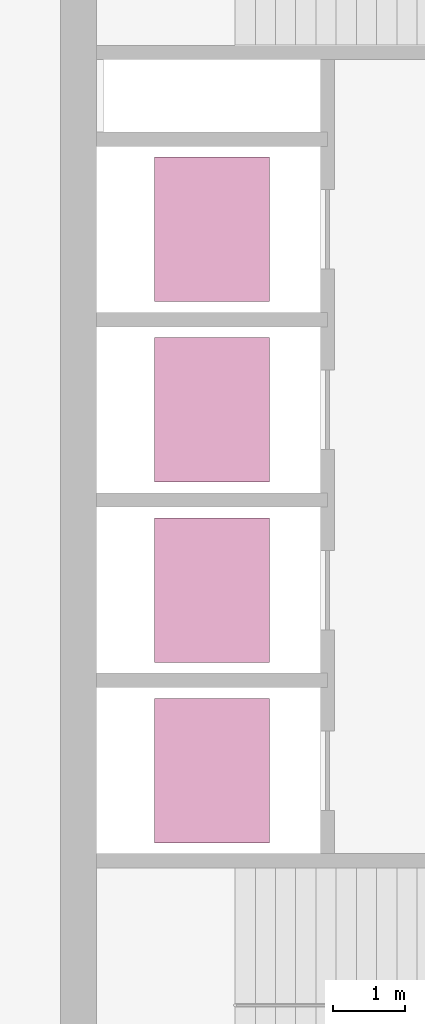
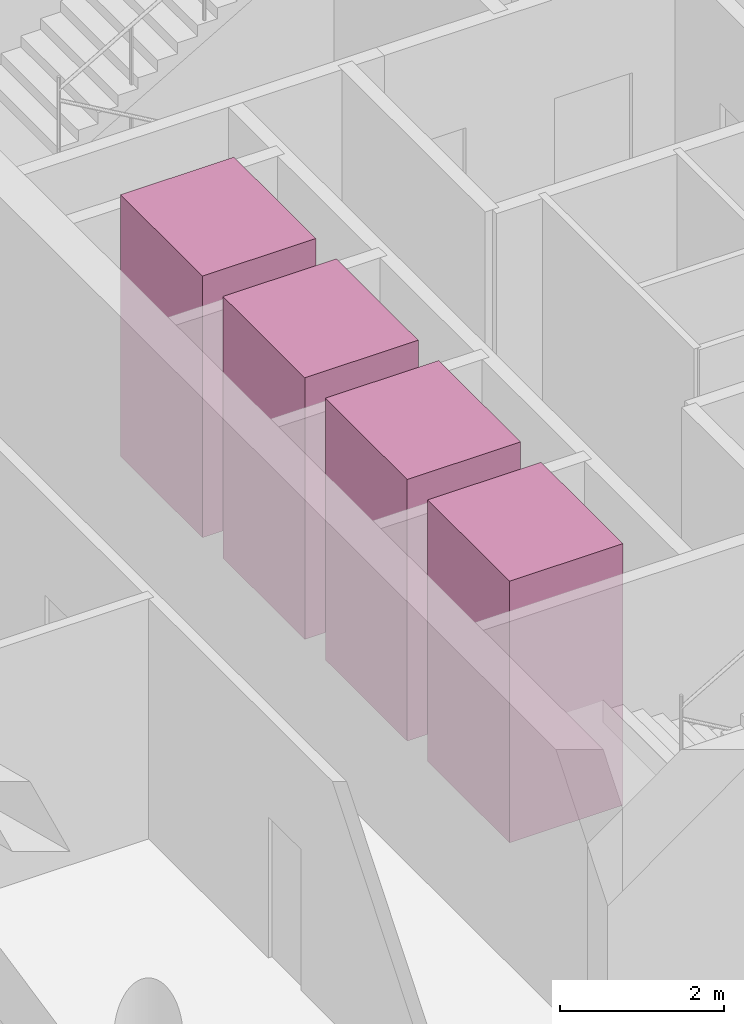
# One storey, part 8 of 8: 4 transport elements.
"""IFC4 building model written with IfcOpenShell, lengths in metres."""

from ifc_helpers import new_model, si_unit, direction, frame, origin, origin_2d, place, context, subcontext, project, spatial, rectangle, extrude, material, type_object, element, save


model = new_model("IFC4")

# Units and contexts
model_context = context("Model", 3, precision=1e-05, world=origin(), true_north=direction((0.0, 1.0)))
body_context = subcontext(model_context, "Body", "Model", "MODEL_VIEW")
ifc_project = project(units=[si_unit("LENGTHUNIT", "METRE"), si_unit("AREAUNIT", "SQUARE_METRE"), si_unit("VOLUMEUNIT", "CUBIC_METRE"), si_unit("PLANEANGLEUNIT", "RADIAN"), si_unit("MASSUNIT", "GRAM", prefix="KILO")], contexts=[model_context])

# Site, building, storey
site_placement = place(None, origin())
site = spatial("IfcSite", under=ifc_project, at=site_placement, CompositionType="ELEMENT")
building_placement = place(site_placement, origin())
building = spatial("IfcBuilding", under=site, at=building_placement, Name="Qaws Garden Tower", CompositionType="ELEMENT")
storey_placement = place(building_placement, frame((0.0, 0.0, 274.800048828125)))
storey = spatial("IfcBuildingStorey", under=building, at=storey_placement, Name="L66", CompositionType="ELEMENT", Elevation=274.800048828125)

# Transport elements
ifc_material = material(Name="Stainless steel 316", Category="steel")
transport_element_type = type_object("IfcTransportElementType", Name="Passenger lift car 2000x1600 1800 kg", PredefinedType="ELEVATOR", material=ifc_material)
for number, where, z_axis, x_axis, name in (
    (1, (10.10009765625, 13.64990234375, 0.0), (0.0, 0.0, 1.0), (1.0, 0.0, 0.0), "HR1"),
    (2, (10.10009765625, 16.14990234375, 0.0), (0.0, 0.0, 1.0), (1.0, 0.0, 0.0), "HR2"),
    (3, (10.10009765625, 18.64990234375, 0.0), (0.0, 0.0, 1.0), (1.0, 0.0, 0.0), "HR3"),
    (4, (10.10009765625, 21.14990234375, 0.0), (0.0, 0.0, 1.0), (1.0, 0.0, 0.0), "HR4"),
):
    element("IfcTransportElement", number, at=place(storey_placement, frame(where, z_axis=z_axis, x_axis=x_axis)), inside=storey, type_object=transport_element_type, Name=name, PredefinedType="ELEVATOR", context=body_context, shape_type="SweptSolid", body=[
        extrude(rectangle(XDim=1.60009765625, YDim=2.0, at=origin_2d()), origin(), (0.0, 0.0, 1.0), 3.89990234375),
    ])

save(model, "model.ifc")
